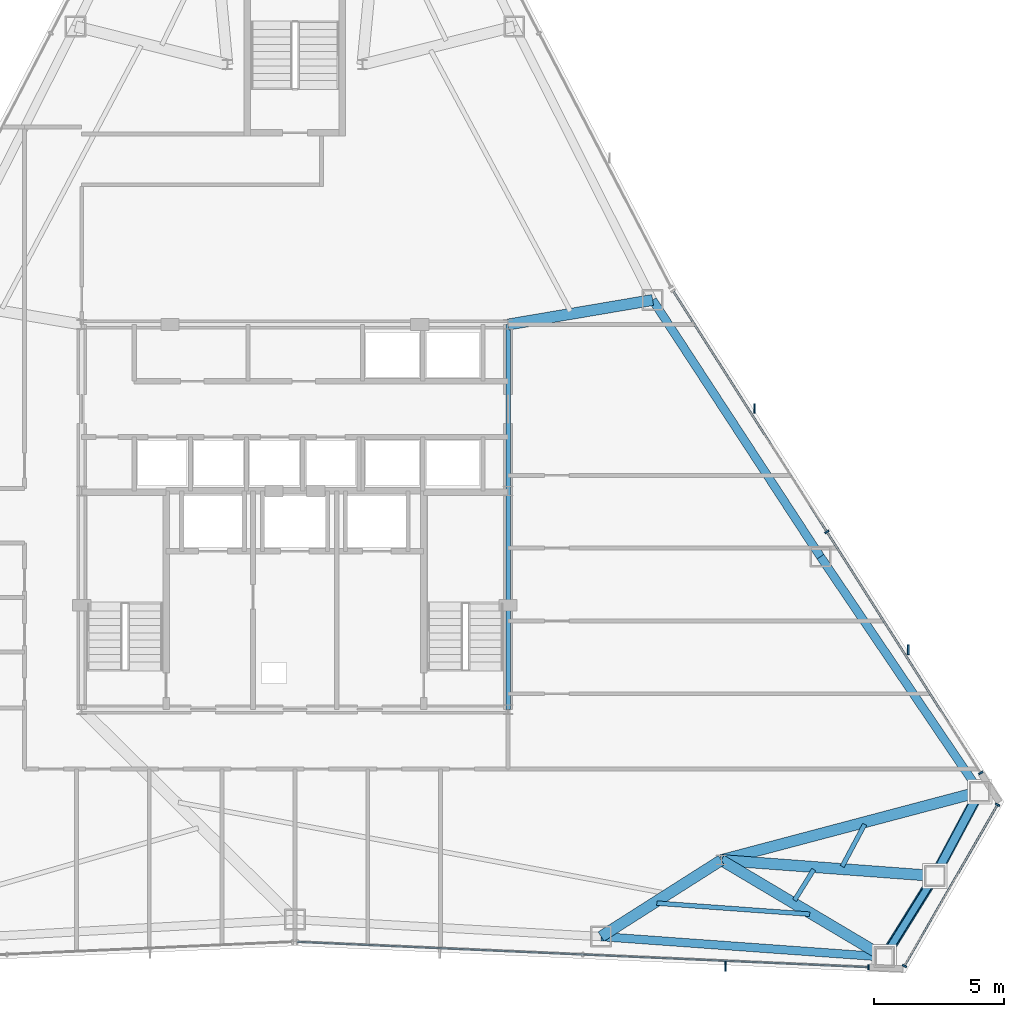
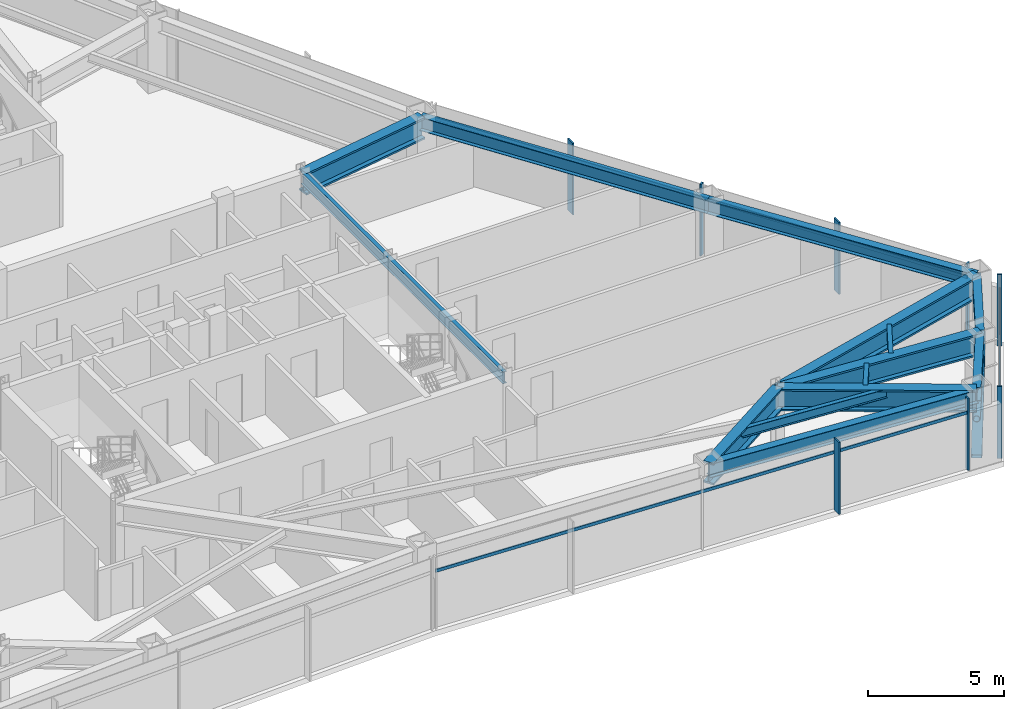
# One storey, part 7 of 13: 14 beams, 14 members, 3 elements without a shape of their own.
"""IFC4 building model written with IfcOpenShell, lengths in metres."""

from ifc_helpers import new_model, si_unit, direction, frame, origin, origin_2d, place, context, subcontext, project, spatial, rectangle, hollow_rectangle, hollow_circle, i_section, extrude, source, transform, mapped, material, layer, layer_set, material_profile, profile_set, type_object, type_shapes, element, aggregate, save


model = new_model("IFC4")

# Units and contexts
model_context = context("Model", 3, precision=1e-05, world=origin(), true_north=direction((0.0, 1.0)))
body_context = subcontext(model_context, "Body", "Model", "MODEL_VIEW")
ifc_project = project(units=[si_unit("LENGTHUNIT", "METRE"), si_unit("AREAUNIT", "SQUARE_METRE"), si_unit("VOLUMEUNIT", "CUBIC_METRE"), si_unit("PLANEANGLEUNIT", "RADIAN"), si_unit("MASSUNIT", "GRAM", prefix="KILO")], contexts=[model_context])

# Site, building, storey
site_placement = place(None, origin())
site = spatial("IfcSite", under=ifc_project, at=site_placement, CompositionType="ELEMENT")
building_placement = place(site_placement, origin())
building = spatial("IfcBuilding", under=site, at=building_placement, Name="Varakhsha Concourse Tower", CompositionType="ELEMENT")
storey_placement = place(building_placement, frame((0.0, 0.0, 189.60009765625)))
storey = spatial("IfcBuildingStorey", under=building, at=storey_placement, Name="L54", CompositionType="ELEMENT", Elevation=189.60009765625)

# Beams
ifc_material_1 = material(Name="Structural Steel ASTM A992 Grade 50", Category="steel")
ifc_material_profile_1 = material_profile(ifc_material_1, i_section(OverallWidth=0.177978515625, OverallDepth=0.406982421875, WebThickness=0.008056640625, FlangeThickness=0.012939453125, at=origin_2d()), Name="W16X40")
ifc_profile_set_1 = profile_set([ifc_material_profile_1], Name="Structural Steel ASTM A992 Grade 50")
beam_type_1 = type_object("IfcBeamType", Name="BM-JST-W16X40", PredefinedType="JOIST", material=ifc_profile_set_1)
beam_1_placement = place(storey_placement, frame((53.919921875, 8.9453125, 3.00634765625), z_axis=(0.99741309669, -0.071882644298, 0.0), x_axis=(0.071882644298, 0.99741309669, 0.0)))
element("IfcBeam", 1, at=beam_1_placement, inside=storey, type_object=beam_type_1, Name="BM-TJST-L54-12", PredefinedType="JOIST", context=body_context, shape_type="SweptSolid", body=[
    extrude(i_section(OverallWidth=0.177978515625, OverallDepth=0.406982421875, WebThickness=0.008056640625, FlangeThickness=0.012939453125, at=origin_2d()), origin(), (0.0, 0.0, 1.0), 5.89599609375),
])
beam_2_placement = place(storey_placement, frame((59.216552734375, 9.05419921875, 3.00634765625), z_axis=(0.528881928693, 0.848695413857, 0.0), x_axis=(-0.848695413857, 0.528881928693, 0.0)))
element("IfcBeam", 2, at=beam_2_placement, inside=storey, type_object=beam_type_1, Name="BM-TJST-L54-13", PredefinedType="JOIST", context=body_context, shape_type="SweptSolid", body=[
    extrude(i_section(OverallWidth=0.177978515625, OverallDepth=0.406982421875, WebThickness=0.008056640625, FlangeThickness=0.012939453125, at=origin_2d()), origin(), (0.0, 0.0, 1.0), 1.3955078125),
])
beam_3_placement = place(storey_placement, frame((61.0498046875, 10.35595703125, 3.00634765625), z_axis=(0.470615835547, 0.882338220487, 0.0), x_axis=(-0.882338220487, 0.470615835547, 0.0)))
element("IfcBeam", 3, at=beam_3_placement, inside=storey, type_object=beam_type_1, Name="BM-TJST-L54-14", PredefinedType="JOIST", context=body_context, shape_type="SweptSolid", body=[
    extrude(i_section(OverallWidth=0.177978515625, OverallDepth=0.406982421875, WebThickness=0.008056640625, FlangeThickness=0.012939453125, at=origin_2d()), origin(), (0.0, 0.0, 1.0), 1.83642578125),
])
ifc_material_profile_2 = material_profile(ifc_material_1, i_section(OverallWidth=0.1669921875, OverallDepth=0.534912109375, WebThickness=0.010009765625, FlangeThickness=0.01708984375, at=origin_2d()), Name="W21X57")
ifc_profile_set_2 = profile_set([ifc_material_profile_2], Name="Structural Steel ASTM A992 Grade 50")
beam_type_2 = type_object("IfcBeamType", Name="BM-RAD-W21X57", PredefinedType="BEAM", material=ifc_profile_set_2)
beam_4_placement = place(storey_placement, frame((48.199951171875, 16.39990234375, 2.9423828125), z_axis=(0.0, 1.0, 0.0), x_axis=(-1.0, 0.0, 0.0)))
element("IfcBeam", 4, at=beam_4_placement, inside=storey, type_object=beam_type_2, Name="BM-TCORE-L54-CE", PredefinedType="BEAM", context=body_context, shape_type="SweptSolid", body=[
    extrude(i_section(OverallWidth=0.1669921875, OverallDepth=0.534912109375, WebThickness=0.010009765625, FlangeThickness=0.01708984375, at=origin_2d()), origin(), (0.0, 0.0, 1.0), 14.800048828125),
])
ifc_material_profile_3 = material_profile(ifc_material_1, i_section(OverallWidth=0.323974609375, OverallDepth=0.611083984375, WebThickness=0.012939453125, FlangeThickness=0.01904296875, at=origin_2d()), Name="W24X104")
ifc_profile_set_3 = profile_set([ifc_material_profile_3], Name="Structural Steel ASTM A992 Grade 50")
beam_type_3 = type_object("IfcBeamType", Name="BM-SPAN-W24X104", PredefinedType="SPANDREL", material=ifc_profile_set_3)
beam_5_placement = place(storey_placement, frame((51.775390625, 7.659423828125, 2.904296875), z_axis=(0.997414254254, -0.071866580624, 0.0), x_axis=(0.071866580624, 0.997414254254, 0.0)))
element("IfcBeam", 5, at=beam_5_placement, inside=storey, type_object=beam_type_3, Name="BM-SPAN-L54-12", PredefinedType="SPANDREL", context=body_context, shape_type="SweptSolid", body=[
    extrude(i_section(OverallWidth=0.323974609375, OverallDepth=0.611083984375, WebThickness=0.012939453125, FlangeThickness=0.01904296875, at=origin_2d()), origin(), (0.0, 0.0, 1.0), 10.921875),
])
beam_6_placement = place(storey_placement, frame((62.6689453125, 6.87451171875, 2.904296875), z_axis=(0.528844996181, 0.848718427993, 0.0), x_axis=(-0.848718427993, 0.528844996181, 0.0)))
element("IfcBeam", 6, at=beam_6_placement, inside=storey, type_object=beam_type_3, Name="BM-SPAN-L54-13", PredefinedType="SPANDREL", context=body_context, shape_type="SweptSolid", body=[
    extrude(i_section(OverallWidth=0.323974609375, OverallDepth=0.611083984375, WebThickness=0.012939453125, FlangeThickness=0.01904296875, at=origin_2d()), origin(), (0.0, 0.0, 1.0), 3.671875),
])
beam_7_placement = place(storey_placement, frame((64.61083984375, 9.990966796875, 2.904296875), z_axis=(0.470595137047, 0.882349260207, 0.0), x_axis=(-0.882349260207, 0.470595137047, 0.0)))
element("IfcBeam", 7, at=beam_7_placement, inside=storey, type_object=beam_type_3, Name="BM-SPAN-L54-14", PredefinedType="SPANDREL", context=body_context, shape_type="SweptSolid", body=[
    extrude(i_section(OverallWidth=0.323974609375, OverallDepth=0.611083984375, WebThickness=0.012939453125, FlangeThickness=0.01904296875, at=origin_2d()), origin(), (0.0, 0.0, 1.0), 3.672119140625),
])
beam_8_placement = place(storey_placement, frame((66.3388671875, 13.23095703125, 2.904296875), z_axis=(-0.560946995481, 0.827851718764, 0.0), x_axis=(-0.827851718764, -0.560946995481, 0.0)))
element("IfcBeam", 8, at=beam_8_placement, inside=storey, type_object=beam_type_3, Name="BM-SPAN-L54-15", PredefinedType="SPANDREL", context=body_context, shape_type="SweptSolid", body=[
    extrude(i_section(OverallWidth=0.323974609375, OverallDepth=0.611083984375, WebThickness=0.012939453125, FlangeThickness=0.01904296875, at=origin_2d()), origin(), (0.0, 0.0, 1.0), 10.921630859375),
])
beam_9_placement = place(storey_placement, frame((60.21240234375, 22.2724609375, 2.904296875), z_axis=(-0.547191913487, 0.837007174291, 0.0), x_axis=(-0.837007174291, -0.547191913487, 0.0)))
element("IfcBeam", 9, at=beam_9_placement, inside=storey, type_object=beam_type_3, Name="BM-SPAN-L54-16", PredefinedType="SPANDREL", context=body_context, shape_type="SweptSolid", body=[
    extrude(i_section(OverallWidth=0.323974609375, OverallDepth=0.611083984375, WebThickness=0.012939453125, FlangeThickness=0.01904296875, at=origin_2d()), origin(), (0.0, 0.0, 1.0), 11.793701171875),
])
ifc_material_profile_4 = material_profile(ifc_material_1, i_section(OverallWidth=0.427978515625, OverallDepth=0.97509765625, WebThickness=0.050048828125, FlangeThickness=0.0810546875, at=origin_2d()), Name="W36X395")
ifc_profile_set_4 = profile_set([ifc_material_profile_4], Name="Structural Steel ASTM A992 Grade 50")
beam_type_4 = type_object("IfcBeamType", Name="BM-XFER-W36X395", PredefinedType="USERDEFINED", material=ifc_profile_set_4)
beam_10_placement = place(storey_placement, frame((56.39990234375, 10.60009765625, 2.722412109375), z_axis=(-0.843843041269, -0.536590087218, 0.0), x_axis=(0.536590087218, -0.843843041269, 0.0)))
element("IfcBeam", 10, at=beam_10_placement, inside=storey, type_object=beam_type_4, Name="L54 Radial Floor Girder 12", ObjectType="GIRDER", PredefinedType="USERDEFINED", context=body_context, shape_type="SweptSolid", body=[
    extrude(i_section(OverallWidth=0.427978515625, OverallDepth=0.97509765625, WebThickness=0.050048828125, FlangeThickness=0.0810546875, at=origin_2d()), origin(), (0.0, 0.0, 1.0), 5.480224609375),
])
beam_11_placement = place(storey_placement, frame((56.39990234375, 10.60009765625, 2.722412109375), z_axis=(0.859653517762, -0.510877509193, 0.0), x_axis=(0.510877509193, 0.859653517762, 0.0)))
element("IfcBeam", 11, at=beam_11_placement, inside=storey, type_object=beam_type_4, Name="L54 Radial Floor Girder 13", ObjectType="GIRDER", PredefinedType="USERDEFINED", context=body_context, shape_type="SweptSolid", body=[
    extrude(i_section(OverallWidth=0.427978515625, OverallDepth=0.97509765625, WebThickness=0.050048828125, FlangeThickness=0.0810546875, at=origin_2d()), origin(), (0.0, 0.0, 1.0), 7.29248046875),
])
beam_12_placement = place(storey_placement, frame((56.39990234375, 10.60009765625, 2.722412109375), z_axis=(0.997259576834, -0.073982000601, 0.0), x_axis=(0.073982000601, 0.997259576834, 0.0)))
element("IfcBeam", 12, at=beam_12_placement, inside=storey, type_object=beam_type_4, Name="L54 Radial Floor Girder 14", ObjectType="GIRDER", PredefinedType="USERDEFINED", context=body_context, shape_type="SweptSolid", body=[
    extrude(i_section(OverallWidth=0.427978515625, OverallDepth=0.97509765625, WebThickness=0.050048828125, FlangeThickness=0.0810546875, at=origin_2d()), origin(), (0.0, 0.0, 1.0), 8.2333984375),
])
beam_13_placement = place(storey_placement, frame((56.39990234375, 10.60009765625, 2.722412109375), z_axis=(0.966706264469, 0.255888644213, 0.0), x_axis=(-0.255888644213, 0.966706264469, 0.0)))
element("IfcBeam", 13, at=beam_13_placement, inside=storey, type_object=beam_type_4, Name="L54 Radial Floor Girder 15", ObjectType="GIRDER", PredefinedType="USERDEFINED", context=body_context, shape_type="SweptSolid", body=[
    extrude(i_section(OverallWidth=0.427978515625, OverallDepth=0.97509765625, WebThickness=0.050048828125, FlangeThickness=0.0810546875, at=origin_2d()), origin(), (0.0, 0.0, 1.0), 10.28125),
])
beam_14_placement = place(storey_placement, frame((48.199951171875, 31.199951171875, 2.722412109375), z_axis=(0.985890879111, 0.167389290235, 0.0), x_axis=(-0.167389290235, 0.985890879111, 0.0)))
element("IfcBeam", 14, at=beam_14_placement, inside=storey, type_object=beam_type_4, Name="L54 Radial Floor Girder 17", ObjectType="GIRDER", PredefinedType="USERDEFINED", context=body_context, shape_type="SweptSolid", body=[
    extrude(i_section(OverallWidth=0.427978515625, OverallDepth=0.97509765625, WebThickness=0.050048828125, FlangeThickness=0.0810546875, at=origin_2d()), origin(), (0.0, 0.0, 1.0), 5.638671875),
])

# Members
ifc_material_2 = material(Name="Structural Steel ASTM A500 Grade C", Category="steel")
ifc_material_profile_5 = material_profile(ifc_material_2, hollow_rectangle(XDim=0.39990234375, YDim=0.39990234375, WallThickness=0.01611328125, at=origin_2d()), Name="HSS 400x400x16")
ifc_profile_set_5 = profile_set([ifc_material_profile_5], Name="Structural Steel ASTM A500 Grade C")
member_type_1 = type_object("IfcMemberType", Name="MB-TUBE-HSS400", PredefinedType="BRACE", material=ifc_profile_set_5)
shared_shape_1 = source(origin(), body_context, "Body", "SweptSolid", [
    extrude(hollow_rectangle(XDim=0.39990234375, YDim=0.39990234375, WallThickness=0.01611328125, at=origin_2d()), origin(), (0.0, 0.0, 1.0), 4.61181640625),
])
member_1_placement = place(storey_placement, frame((66.3388671875, 13.23095703125, 0.119873046875), z_axis=(-0.37470368715, -0.702556178604, 0.60498922531), x_axis=(0.882349260207, -0.470595137047, 0.0)))
element("IfcMember", 15, at=member_1_placement, inside=storey, type_object=member_type_1, Name="L54 Wind-Corner Tube Brace B06", PredefinedType="BRACE", context=body_context, shape_type="MappedRepresentation", body=[
    mapped(shared_shape_1, transform((0.0, 0.0, 0.0), scale=1.0)),
])
shared_shape_2 = source(origin(), body_context, "Body", "SweptSolid", [
    extrude(hollow_rectangle(XDim=0.39990234375, YDim=0.39990234375, WallThickness=0.01611328125, at=origin_2d()), origin(), (0.0, 0.0, 1.0), 4.611572265625),
])
type_shapes(member_type_1, [shared_shape_1, shared_shape_2])
member_2_placement = place(storey_placement, frame((62.6689453125, 6.87451171875, 0.119873046875), z_axis=(0.421082078915, 0.675774797253, 0.604994467921), x_axis=(-0.848718427993, 0.528844996181, 0.0)))
element("IfcMember", 16, at=member_2_placement, inside=storey, type_object=member_type_1, Name="L54 Wind-Corner Tube Brace B05", PredefinedType="BRACE", context=body_context, shape_type="MappedRepresentation", body=[
    mapped(shared_shape_2, transform((0.0, 0.0, 0.0), scale=1.0)),
])
ifc_material_profile_6 = material_profile(ifc_material_2, hollow_circle(Radius=0.136474609375, WallThickness=0.011962890625, at=origin_2d()), Name="CHS 273x12")
ifc_profile_set_6 = profile_set([ifc_material_profile_6], Name="Structural Steel ASTM A500 Grade C")
member_type_2 = type_object("IfcMemberType", Name="MB-WIND-CHS273", PredefinedType="COLLAR", material=ifc_profile_set_6)
shared_shape_3 = source(origin(), body_context, "Body", "SweptSolid", [
    extrude(hollow_circle(Radius=0.136474609375, WallThickness=0.011962890625, at=origin_2d()), origin(), (0.0, 0.0, 1.0), 3.671875),
])
type_shapes(member_type_2, [shared_shape_3])
member_3_placement = place(storey_placement, frame((62.6689453125, 6.87451171875, 1.7998046875), z_axis=(0.528844996181, 0.848718427993, 0.0), x_axis=(-0.848718427993, 0.528844996181, 0.0)))
element("IfcMember", 17, at=member_3_placement, inside=storey, type_object=member_type_2, Name="L54 Wind-Corner Collar Tie 3", PredefinedType="COLLAR", context=body_context, shape_type="MappedRepresentation", body=[
    mapped(shared_shape_3, transform((0.0, 0.0, 0.0), scale=1.0)),
])

# Curtain wall, member
ifc_material_3 = material(Name="Anodised Bronze Architectural Aluminium AA 6063-T6", Category="aluminium")
ifc_layer = layer(ifc_material_3, 0.2099609375, Name="CW-SYS-04")
ifc_layer_set = layer_set([ifc_layer], Name="Anodised Bronze Architectural Aluminium AA 6063-T6")
curtain_wall_type = type_object("IfcCurtainWallType", Name="CW-SYS-04", PredefinedType="NOTDEFINED", material=ifc_layer_set)
curtain_wall_1_placement = place(storey_placement, origin())
curtain_wall_1 = element("IfcCurtainWall", 18, at=curtain_wall_1_placement, inside=storey, type_object=curtain_wall_type, Name="L54 Crystal Curtain Wall F6", PredefinedType="NOTDEFINED")
ifc_material_profile_7 = material_profile(ifc_material_3, rectangle(XDim=0.06005859375, YDim=0.3798828125, at=origin_2d()), Name="FIN-BRZ-380")
ifc_profile_set_7 = profile_set([ifc_material_profile_7], Name="Anodised Bronze Architectural Aluminium AA 6063-T6")
member_type_3 = type_object("IfcMemberType", Name="FIN-BRZ-380", PredefinedType="USERDEFINED", material=ifc_profile_set_7)
shared_shape_4 = source(origin(), body_context, "Body", "SweptSolid", [
    extrude(rectangle(XDim=0.06005859375, YDim=0.3798828125, at=origin_2d()), origin(), (0.0, 0.0, 1.0), 3.2099609375),
])
type_shapes(member_type_3, [shared_shape_4])
member_4_placement = place(storey_placement, frame((56.558837890625, 6.521484375, 0.0), z_axis=(0.0, 0.0, 1.0), x_axis=(1.0, 0.0, 0.0)))
member_4 = element("IfcMember", 19, at=member_4_placement, type_object=member_type_3, Name="L54 Anodised Bronze Solar Fin F6-1", ObjectType="SOLAR FIN", PredefinedType="USERDEFINED", context=body_context, shape_type="MappedRepresentation", body=[
    mapped(shared_shape_4, transform((0.0, 0.0, 0.0), scale=1.0)),
])

# Curtain wall, members
curtain_wall_2_placement = place(storey_placement, origin())
curtain_wall_2 = element("IfcCurtainWall", 20, at=curtain_wall_2_placement, inside=storey, type_object=curtain_wall_type, Name="L54 Crystal Curtain Wall F8", PredefinedType="NOTDEFINED")
member_5_placement = place(storey_placement, frame((57.674072265625, 27.970703125, 0.0), z_axis=(0.0, 0.0, 1.0), x_axis=(1.0, 0.0, 0.0)))
member_5 = element("IfcMember", 21, at=member_5_placement, type_object=member_type_3, Name="L54 Anodised Bronze Solar Fin F8-1", ObjectType="SOLAR FIN", PredefinedType="USERDEFINED", context=body_context, shape_type="MappedRepresentation", body=[
    mapped(shared_shape_4, transform((0.0, 0.0, 0.0), scale=1.0)),
])
member_6_placement = place(storey_placement, frame((63.589599609375, 18.698974609375, 0.0), z_axis=(0.0, 0.0, 1.0), x_axis=(1.0, 0.0, 0.0)))
member_6 = element("IfcMember", 22, at=member_6_placement, type_object=member_type_3, Name="L54 Anodised Bronze Solar Fin F8-2", ObjectType="SOLAR FIN", PredefinedType="USERDEFINED", context=body_context, shape_type="MappedRepresentation", body=[
    mapped(shared_shape_4, transform((0.0, 0.0, 0.0), scale=1.0)),
])

# Member
ifc_material_profile_8 = material_profile(ifc_material_3, rectangle(XDim=0.06494140625, YDim=0.179931640625, at=origin_2d()), Name="CWM-180X65")
ifc_profile_set_8 = profile_set([ifc_material_profile_8], Name="Anodised Bronze Architectural Aluminium AA 6063-T6")
member_type_4 = type_object("IfcMemberType", Name="CWM-180X65", PredefinedType="MULLION", material=ifc_profile_set_8)
shared_shape_5 = source(origin(), body_context, "Body", "SweptSolid", [
    extrude(rectangle(XDim=0.06494140625, YDim=0.179931640625, at=origin_2d()), origin(), (0.0, 0.0, 1.0), 3.2099609375),
])
type_shapes(member_type_4, [shared_shape_5])
member_7_placement = place(storey_placement, frame((62.0615234375, 6.482666015625, 0.0), z_axis=(0.0, 0.0, 1.0), x_axis=(-0.999018917807, 0.04428545883, 0.0)))
member_7 = element("IfcMember", 23, at=member_7_placement, type_object=member_type_4, Name="CW-L54-F6 Mullion 00", PredefinedType="MULLION", context=body_context, shape_type="MappedRepresentation", body=[
    mapped(shared_shape_5, transform((0.0, 0.0, 0.0), scale=1.0)),
])

# Curtain wall, members
curtain_wall_3_placement = place(storey_placement, origin())
curtain_wall_3 = element("IfcCurtainWall", 24, at=curtain_wall_3_placement, inside=storey, type_object=curtain_wall_type, Name="L54 Chamfer Curtain Wall F7", PredefinedType="NOTDEFINED")
member_8_placement = place(storey_placement, frame((67.0244140625, 12.731201171875, 0.0), z_axis=(0.0, 0.0, 1.0), x_axis=(-0.499996976998, -0.866027149108, 0.0)))
member_8 = element("IfcMember", 25, at=member_8_placement, type_object=member_type_4, Name="CW-L54-F7 Mullion 00", PredefinedType="MULLION", context=body_context, shape_type="MappedRepresentation", body=[
    mapped(shared_shape_5, transform((0.0, 0.0, 0.0), scale=1.0)),
])
member_9_placement = place(storey_placement, frame((63.4443359375, 6.530517578125, 0.0), z_axis=(0.0, 0.0, 1.0), x_axis=(-0.499996976998, -0.866027149108, 0.0)))
member_9 = element("IfcMember", 26, at=member_9_placement, type_object=member_type_4, Name="CW-L54-F7 Mullion 01", PredefinedType="MULLION", context=body_context, shape_type="MappedRepresentation", body=[
    mapped(shared_shape_5, transform((0.0, 0.0, 0.0), scale=1.0)),
])

# Member
member_10_placement = place(storey_placement, frame((60.458984375, 23.224609375, 0.0), z_axis=(0.0, 0.0, 1.0), x_axis=(0.537863262638, -0.84303209352, 0.0)))
member_10 = element("IfcMember", 27, at=member_10_placement, type_object=member_type_4, Name="CW-L54-F8 Mullion 01", PredefinedType="MULLION", context=body_context, shape_type="MappedRepresentation", body=[
    mapped(shared_shape_5, transform((0.0, 0.0, 0.0), scale=1.0)),
])

member_11_placement = place(storey_placement, frame((66.37451171875, 13.952880859375, 0.0), z_axis=(0.0, 0.0, 1.0), x_axis=(0.537863262638, -0.84303209352, 0.0)))
member_11 = element("IfcMember", 28, at=member_11_placement, type_object=member_type_4, Name="CW-L54-F8 Mullion 02", PredefinedType="MULLION", context=body_context, shape_type="MappedRepresentation", body=[
    mapped(shared_shape_5, transform((0.0, 0.0, 0.0), scale=1.0)),
])

ifc_material_profile_9 = material_profile(ifc_material_3, rectangle(XDim=0.06005859375, YDim=0.139892578125, at=origin_2d()), Name="CWT-140X60")
ifc_profile_set_9 = profile_set([ifc_material_profile_9], Name="Anodised Bronze Architectural Aluminium AA 6063-T6")
member_type_5 = type_object("IfcMemberType", Name="CWT-140X60", PredefinedType="USERDEFINED", material=ifc_profile_set_9)
shared_shape_6 = source(origin(), body_context, "Body", "SweptSolid", [
    extrude(rectangle(XDim=0.06005859375, YDim=0.139892578125, at=origin_2d()), origin(), (0.0, 0.0, 1.0), 21.99609375),
])
member_12_placement = place(storey_placement, frame((62.0615234375, 6.482666015625, 2.559814453125), z_axis=(-0.999018898193, 0.044285901295, 0.0), x_axis=(-0.044285901295, -0.999018898193, 0.0)))
member_12 = element("IfcMember", 29, at=member_12_placement, type_object=member_type_5, Name="CW-L54-F6 Transom 01", ObjectType="TRANSOM", PredefinedType="USERDEFINED", context=body_context, shape_type="MappedRepresentation", body=[
    mapped(shared_shape_6, transform((0.0, 0.0, 0.0), scale=1.0)),
])

aggregate(curtain_wall_1, [member_7, member_12, member_4])

member_13_placement = place(storey_placement, frame((54.54345703125, 32.49609375, 2.559814453125), z_axis=(0.537872683916, -0.843026082572, 0.0), x_axis=(0.843026082572, 0.537872683916, 0.0)))
member_13 = element("IfcMember", 30, at=member_13_placement, type_object=member_type_5, Name="CW-L54-F8 Transom 01", ObjectType="TRANSOM", PredefinedType="USERDEFINED", context=body_context, shape_type="MappedRepresentation", body=[
    mapped(shared_shape_6, transform((0.0, 0.0, 0.0), scale=1.0)),
])

aggregate(curtain_wall_2, [member_10, member_11, member_13, member_5, member_6])

shared_shape_7 = source(origin(), body_context, "Body", "SweptSolid", [
    extrude(rectangle(XDim=0.06005859375, YDim=0.139892578125, at=origin_2d()), origin(), (0.0, 0.0, 1.0), 7.159912109375),
])
type_shapes(member_type_5, [shared_shape_6, shared_shape_7])
member_14_placement = place(storey_placement, frame((67.0244140625, 12.731201171875, 2.559814453125), z_axis=(-0.500011709085, -0.866018643436, 0.0), x_axis=(0.866018643436, -0.500011709085, 0.0)))
member_14 = element("IfcMember", 31, at=member_14_placement, type_object=member_type_5, Name="CW-L54-F7 Transom 01", ObjectType="TRANSOM", PredefinedType="USERDEFINED", context=body_context, shape_type="MappedRepresentation", body=[
    mapped(shared_shape_7, transform((0.0, 0.0, 0.0), scale=1.0)),
])

aggregate(curtain_wall_3, [member_8, member_9, member_14])

save(model, "model.ifc")
